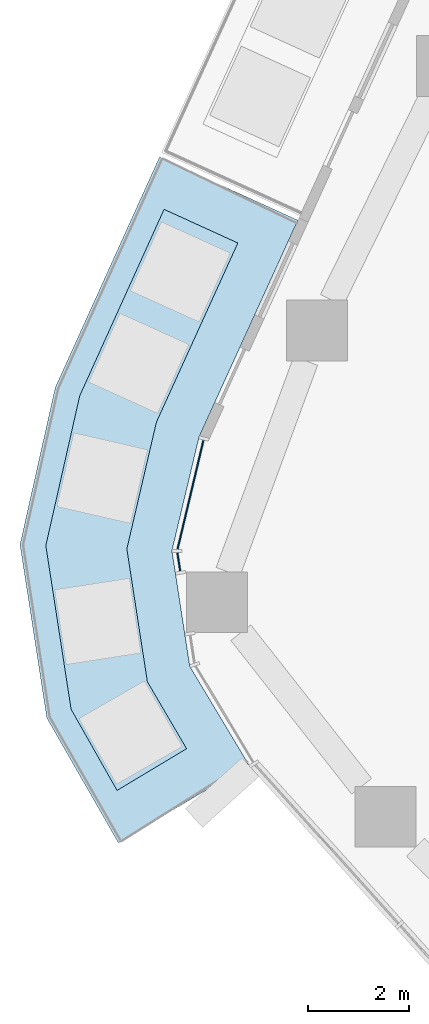
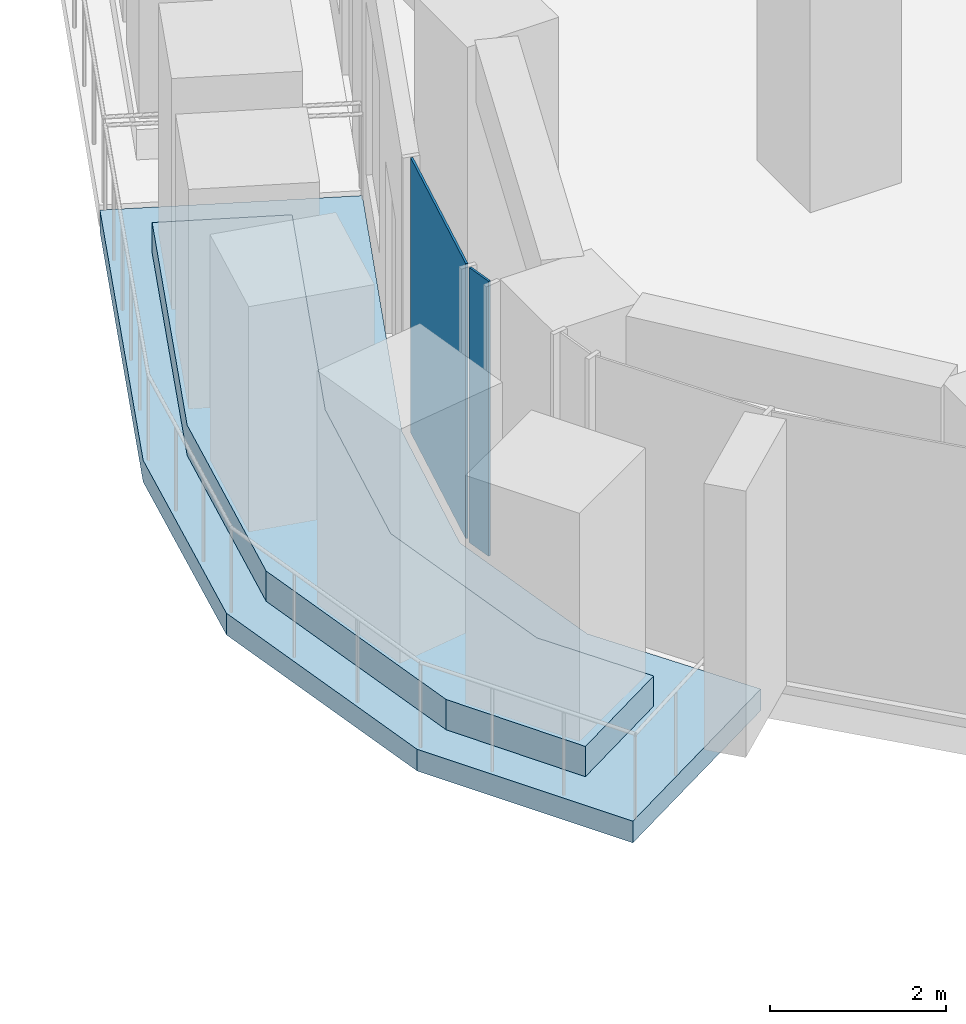
# One storey, part 8 of 19: 2 plates, 2 slabs, 1 element without a shape of its own.
"""IFC4 building model written with IfcOpenShell, lengths in metres."""

import ifcopenshell
import ifcopenshell.guid

model = None  # the IFC model being written
_history = None  # IfcOwnerHistory: only IFC2X3 demands one
_inside = {}  # id of a spatial element -> (the spatial element, [elements in it])
_under = {}  # id of a project, library or spatial element -> (it, [spatial elements below it])
_declared = {}  # id of a project -> (the project, [libraries it declares])
_typed = {}  # id of a type object -> (the type object, [elements of that type])
_made_of = {}  # id of a material, layer set ... -> (it, [elements and type objects made of it])


def new_model(schema):
    """Start an empty IFC model of exactly this schema.

    Asked for "IFC4X3", IfcOpenShell would pick the latest addendum, in which some entities
    have other attributes; the version numbers below select the first issue.
    IFC2X3 requires an IfcOwnerHistory on every rooted entity: one is made here for all.
    """
    global model, _history
    if schema == "IFC4X3":
        model = ifcopenshell.file(schema_version=(4, 3, 0, 0))
    else:
        model = ifcopenshell.file(schema=schema)
    _inside.clear()
    _under.clear()
    _declared.clear()
    _typed.clear()
    _made_of.clear()
    _history = None
    if model.schema == "IFC2X3":
        org = make("IfcOrganization", Name="unknown")
        user = make(
            "IfcPersonAndOrganization",
            ThePerson=make("IfcPerson", FamilyName="unknown"),
            TheOrganization=org,
        )
        app = make(
            "IfcApplication",
            ApplicationDeveloper=org,
            Version="unknown",
            ApplicationFullName="unknown",
            ApplicationIdentifier="unknown",
        )
        _history = make(
            "IfcOwnerHistory",
            OwningUser=user,
            OwningApplication=app,
            ChangeAction="ADDED",
            CreationDate=0,
        )
    return model


def make(cls, **values):
    """One entity of the class cls with the attributes given. An attribute that is None is left unset."""
    return model.create_entity(
        cls, **{name: value for name, value in values.items() if value is not None}
    )


def rooted(cls, **values):
    """An entity with a GlobalId (a new one), such as an element, a storey or a relation."""
    return make(cls, GlobalId=ifcopenshell.guid.new(), OwnerHistory=_history, **values)


def si_unit(unit_type, name, prefix=None):
    """IfcSIUnit, for example si_unit("LENGTHUNIT", "METRE", prefix="MILLI")."""
    return make("IfcSIUnit", UnitType=unit_type, Prefix=prefix, Name=name)


def assignment(units):
    """IfcUnitAssignment: the units of a project."""
    return None if units is None else make("IfcUnitAssignment", Units=units)


def point(xyz):
    """IfcCartesianPoint."""
    return None if xyz is None else make("IfcCartesianPoint", Coordinates=xyz)


def direction(xyz):
    """IfcDirection."""
    return None if xyz is None else make("IfcDirection", DirectionRatios=xyz)


def frame(location, z_axis=None, x_axis=None):
    """IfcAxis2Placement3D, a coordinate frame: its origin and axes. An axis left out is left unset."""
    return make(
        "IfcAxis2Placement3D",
        Location=point(location),
        Axis=direction(z_axis),
        RefDirection=direction(x_axis),
    )


def frame_2d(location, x_axis=None):
    """IfcAxis2Placement2D, a coordinate frame in the plane: its origin and x axis."""
    return make(
        "IfcAxis2Placement2D", Location=point(location), RefDirection=direction(x_axis)
    )


def origin():
    """The frame at (0, 0, 0) with its axes left unset."""
    return frame((0.0, 0.0, 0.0))


def origin_2d():
    """The frame at (0, 0) in the plane with its x axis left unset."""
    return frame_2d((0.0, 0.0))


def place(relative_to, where):
    """IfcLocalPlacement: puts the frame where relative to a parent placement (None: the world)."""
    return make(
        "IfcLocalPlacement", PlacementRelTo=relative_to, RelativePlacement=where
    )


def context(
    kind, dimensions, precision=None, world=None, true_north=None, identifier=None
):
    """IfcGeometricRepresentationContext, for example the 3D "Model" context."""
    return make(
        "IfcGeometricRepresentationContext",
        ContextIdentifier=identifier,
        ContextType=kind,
        CoordinateSpaceDimension=dimensions,
        Precision=precision,
        WorldCoordinateSystem=world,
        TrueNorth=true_north,
    )


def subcontext(parent, identifier, kind, view, scale=None):
    """IfcGeometricRepresentationSubContext, for example "Body" below "Model"."""
    return make(
        "IfcGeometricRepresentationSubContext",
        ContextIdentifier=identifier,
        ContextType=kind,
        ParentContext=parent,
        TargetScale=scale,
        TargetView=view,
    )


def project(units=None, contexts=None):
    """IfcProject with its units and contexts."""
    return rooted(
        "IfcProject",
        Name="project",
        RepresentationContexts=contexts,
        UnitsInContext=assignment(units),
    )


def spatial(cls, under=None, at=None, **own):
    """A site, building, storey or space (cls), placed at a placement, below another one or the project."""
    s = rooted(cls, ObjectPlacement=at, **own)
    if under is not None:
        _under.setdefault(under.id(), (under, []))[1].append(s)
    return s


def polyline(points):
    """IfcPolyline through the points."""
    return make("IfcPolyline", Points=[point(p) for p in points])


def profile(cls, at=None, kind="AREA", **sizes):
    """A parametric profile (cls). Its sizes go by their IFC names, for example OverallWidth=200.0."""
    return make(cls, ProfileType=kind, Position=at, **sizes)


def rectangle(**sizes):
    """IfcRectangleProfileDef."""
    return profile("IfcRectangleProfileDef", **sizes)


def outline(outer, holes=None, kind="AREA"):
    """IfcArbitraryClosedProfileDef: a profile drawn as a closed curve; with holes, ...WithVoids."""
    if holes is None:
        return make("IfcArbitraryClosedProfileDef", ProfileType=kind, OuterCurve=outer)
    return make(
        "IfcArbitraryProfileDefWithVoids",
        ProfileType=kind,
        OuterCurve=outer,
        InnerCurves=holes,
    )


def extrude(swept, where, along, depth):
    """IfcExtrudedAreaSolid: the profile swept, set in the frame where, extruded along a direction by depth."""
    return make(
        "IfcExtrudedAreaSolid",
        SweptArea=swept,
        Position=where,
        ExtrudedDirection=direction(along),
        Depth=depth,
    )


def shape(context_of_items, identifier, shape_type, items):
    """IfcShapeRepresentation: the items that make up one representation, for example the "Body"."""
    return make(
        "IfcShapeRepresentation",
        ContextOfItems=context_of_items,
        RepresentationIdentifier=identifier,
        RepresentationType=shape_type,
        Items=items,
    )


def material(Name=None, Category=None):
    """IfcMaterial."""
    return make("IfcMaterial", Name=Name, Category=Category)


def layer(
    of_material, thickness, ventilated=None, Name=None, Category=None, Priority=None
):
    """IfcMaterialLayer: one layer of a wall or slab, of a material (None: an air gap)."""
    return make(
        "IfcMaterialLayer",
        Material=of_material,
        LayerThickness=thickness,
        IsVentilated=ventilated,
        Name=Name,
        Category=Category,
        Priority=Priority,
    )


def layer_set(layers, Name=None):
    """IfcMaterialLayerSet."""
    return make("IfcMaterialLayerSet", MaterialLayers=layers, LayerSetName=Name)


def made_of(thing, what):
    """Note that an element or type object is made of a material, layer set ...; save() writes the relation."""
    if what is not None:
        _made_of.setdefault(what.id(), (what, []))[1].append(thing)
    return thing


def type_object(cls, material=None, **own):
    """A type object (cls), such as IfcWallType, which elements share."""
    return made_of(rooted(cls, **own), material)


def element(
    cls,
    number,
    at=None,
    inside=None,
    cuts=None,
    type_object=None,
    material=None,
    context=None,
    identifier="Body",
    shape_type=None,
    held_by="IfcProductDefinitionShape",
    body=None,
    shapes=None,
    **own,
):
    """One element of the class cls, such as IfcWall. Its Tag is "e" and its number.

    at: its placement. inside: the storey or other place that contains it. cuts: it is an
    opening in that element (IfcRelVoidsElement). A single representation is given by context,
    identifier, shape_type and body (its items); several are given by shapes. held_by: the class
    of the entity that holds the representations. save() writes the other relations.
    """
    e = rooted(cls, Tag="e%d" % number, ObjectPlacement=at, **own)
    if body is not None:
        shapes = [shape(context, identifier, shape_type, body)]
    if shapes is not None:
        e.Representation = make(held_by, Representations=shapes)
    if inside is not None:
        _inside.setdefault(inside.id(), (inside, []))[1].append(e)
    if cuts is not None:
        rooted(
            "IfcRelVoidsElement", RelatingBuildingElement=cuts, RelatedOpeningElement=e
        )
    if type_object is not None:
        _typed.setdefault(type_object.id(), (type_object, []))[1].append(e)
    return made_of(e, material)


def aggregate(whole, parts):
    """IfcRelAggregates: a whole, such as a stair, and the parts it consists of."""
    return rooted("IfcRelAggregates", RelatingObject=whole, RelatedObjects=parts)


def save(model, path):
    """Write the relations noted so far, then the file.

    IfcRelAggregates (storeys below a building ...), IfcRelContainedInSpatialStructure (elements
    in a storey), IfcRelDefinesByType, IfcRelAssociatesMaterial and IfcRelDeclares: one each for
    every whole, place, type object, material and project.
    """
    for whole, parts in _under.values():
        aggregate(whole, parts)
    for where, things in _inside.values():
        rooted(
            "IfcRelContainedInSpatialStructure",
            RelatedElements=things,
            RelatingStructure=where,
        )
    for kind, things in _typed.values():
        rooted("IfcRelDefinesByType", RelatedObjects=things, RelatingType=kind)
    for what, things in _made_of.values():
        rooted("IfcRelAssociatesMaterial", RelatedObjects=things, RelatingMaterial=what)
    for by, libraries in _declared.values():
        rooted("IfcRelDeclares", RelatingContext=by, RelatedDefinitions=libraries)
    model.write(path)


model = new_model("IFC4")

# Units and contexts
model_context = context("Model", 3, precision=1e-05, world=origin(), true_north=direction((0.0, 1.0)))
body_context = subcontext(model_context, "Body", "Model", "MODEL_VIEW")
ifc_project = project(units=[si_unit("LENGTHUNIT", "METRE"), si_unit("AREAUNIT", "SQUARE_METRE"), si_unit("VOLUMEUNIT", "CUBIC_METRE"), si_unit("PLANEANGLEUNIT", "RADIAN"), si_unit("MASSUNIT", "GRAM", prefix="KILO")], contexts=[model_context])

# Site, building, storey
site_placement = place(None, origin())
site = spatial("IfcSite", under=ifc_project, at=site_placement, CompositionType="ELEMENT")
building_placement = place(site_placement, origin())
building = spatial("IfcBuilding", under=site, at=building_placement, Name="Dongbaek Canopy Tower", CompositionType="ELEMENT")
storey_placement = place(building_placement, frame((0.0, 0.0, 207.199951171875)))
storey = spatial("IfcBuildingStorey", under=building, at=storey_placement, Name="L43", CompositionType="ELEMENT", Elevation=207.199951171875)

# Slab
ifc_material_1 = material(Name="Concrete C40/50", Category="concrete")
ifc_layer_1 = layer(ifc_material_1, 0.300048828125)
ifc_layer_set_1 = layer_set([ifc_layer_1], Name="Balcony slab 300")
slab_type_1 = type_object("IfcSlabType", Name="Balcony slab 300", PredefinedType="FLOOR", material=ifc_layer_set_1)
slab_1_placement = place(storey_placement, frame((0.0, 0.0, -0.300048828125)))
element("IfcSlab", 1, at=slab_1_placement, inside=storey, type_object=slab_type_1, Name="Balcony L43 2", PredefinedType="FLOOR", context=body_context, shape_type="SweptSolid", body=[
    extrude(outline(polyline([(-22.83740234375, 2.243408203125), (-24.785888671875, -2.031005859375), (-25.3212890625, -4.277587890625), (-24.96875, -6.559814453125), (-23.8056640625, -8.4970703125), (-26.3779296875, -10.041259765625), (-27.789794921875, -7.580078125), (-28.31884765625, -4.156494140625), (-27.623046875, -1.056396484375), (-25.5673828125, 3.487548828125), (-22.83740234375, 2.243408203125)])), origin(), (0.0, 0.0, 1.0), 0.300048828125),
])

# Curtain wall, plates
ifc_material_2 = material(Name="Aluminium 6063-T6 pale anodised", Category="aluminium")
ifc_layer_2 = layer(ifc_material_2, 0.199951171875)
ifc_layer_set_2 = layer_set([ifc_layer_2], Name="CW-1 unitised tower curtain wall")
curtain_wall_type = type_object("IfcCurtainWallType", Name="CW-1 unitised tower curtain wall", PredefinedType="NOTDEFINED", material=ifc_layer_set_2)
curtain_wall_placement = place(storey_placement, origin())
curtain_wall = element("IfcCurtainWall", 2, at=curtain_wall_placement, inside=storey, type_object=curtain_wall_type, Name="CW-1 curtain wall K3.1a", PredefinedType="NOTDEFINED")
ifc_material_3 = material(Name="Clear laminated glass", Category="glass")
ifc_layer_3 = layer(ifc_material_3, 0.028076171875)
ifc_layer_set_3 = layer_set([ifc_layer_3], Name="CW-1 glazed panel 28")
plate_type = type_object("IfcPlateType", Name="CW-1 glazed panel 28", PredefinedType="CURTAIN_PANEL", material=ifc_layer_set_3)
plate_1_placement = place(storey_placement, frame((-24.955078125, -3.172607421875, 0.0), z_axis=(0.0, 0.0, 1.0), x_axis=(-0.231881690436, -0.972743995942, 0.0)))
plate_1 = element("IfcPlate", 3, at=plate_1_placement, type_object=plate_type, Name="CW-1 panel K3.1a.1.1", PredefinedType="CURTAIN_PANEL", context=body_context, shape_type="SweptSolid", body=[
    extrude(rectangle(XDim=2.196044921875, YDim=0.028076171875, at=origin_2d()), origin(), (0.0, 0.0, 1.0), 3.820068359375),
])
plate_2_placement = place(storey_placement, frame((-25.186279296875, -4.496826171875, 0.0), z_axis=(0.0, 0.0, 1.0), x_axis=(0.15271309761, -0.988270565088, 0.0)))
plate_2 = element("IfcPlate", 4, at=plate_2_placement, type_object=plate_type, Name="CW-1 panel K3.1a.2.1", PredefinedType="CURTAIN_PANEL", context=body_context, shape_type="SweptSolid", body=[
    extrude(rectangle(XDim=0.351806640625, YDim=0.028076171875, at=origin_2d()), origin(), (0.0, 0.0, 1.0), 3.820068359375),
])
aggregate(curtain_wall, [plate_1, plate_2])

# Slab
ifc_material_4 = material(Name="Reinforced concrete C40/50 planter box with soil", Category="concrete")
ifc_layer_4 = layer(ifc_material_4, 0.419921875)
ifc_layer_set_4 = layer_set([ifc_layer_4], Name="Terrace planter box 1600 x 420")
slab_type_2 = type_object("IfcSlabType", Name="Terrace planter box 1600 x 420", PredefinedType="USERDEFINED", material=ifc_layer_set_4)
slab_2_placement = place(storey_placement, origin())
element("IfcSlab", 5, at=slab_2_placement, inside=storey, type_object=slab_type_2, Name="Balcony planter L43 2", ObjectType="PLANTER", PredefinedType="USERDEFINED", context=body_context, shape_type="SweptSolid", body=[
    extrude(outline(polyline([(-24.020751953125, 1.793701171875), (-25.627685546875, -1.741943359375), (-26.210693359375, -4.24169921875), (-25.8056640625, -6.862548828125), (-25.031982421875, -8.18359375), (-26.40380859375, -9.007080078125), (-27.310302734375, -7.40673828125), (-27.809326171875, -4.177001953125), (-27.140869140625, -1.22216796875), (-25.4765625, 2.457275390625), (-24.020751953125, 1.793701171875)])), origin(), (0.0, 0.0, 1.0), 0.420166015625),
])

save(model, "model.ifc")
